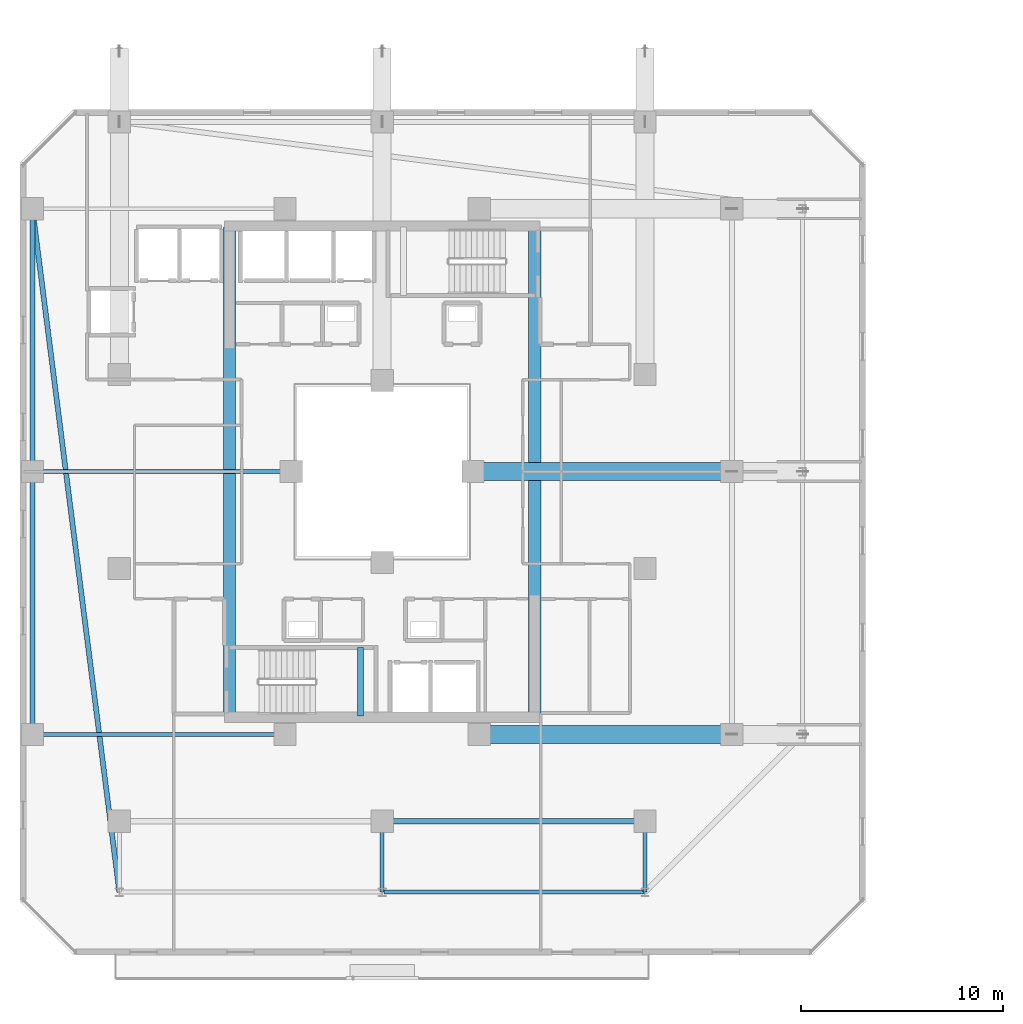
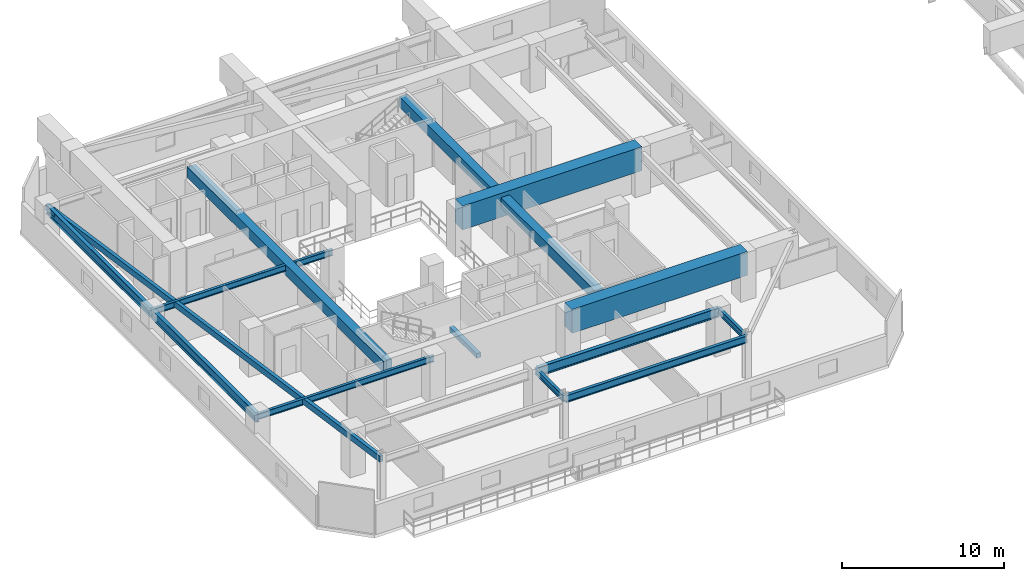
# One storey, part 4 of 36: 14 beams.
"""IFC4 building model written with IfcOpenShell, lengths in metres."""

from ifc_helpers import new_model, si_unit, direction, frame, origin, origin_2d, place, context, subcontext, project, spatial, rectangle, hollow_rectangle, i_section, extrude, material, material_profile, profile_set, type_object, element, save


model = new_model("IFC4")

# Units and contexts
model_context = context("Model", 3, precision=1e-05, world=origin(), true_north=direction((0.0, 1.0)))
body_context = subcontext(model_context, "Body", "Model", "MODEL_VIEW")
ifc_project = project(units=[si_unit("LENGTHUNIT", "METRE"), si_unit("AREAUNIT", "SQUARE_METRE"), si_unit("VOLUMEUNIT", "CUBIC_METRE"), si_unit("PLANEANGLEUNIT", "RADIAN"), si_unit("MASSUNIT", "GRAM", prefix="KILO")], contexts=[model_context])

# Site, building, storey
site_placement = place(None, origin())
site = spatial("IfcSite", under=ifc_project, at=site_placement, CompositionType="ELEMENT")
building_placement = place(site_placement, origin())
building = spatial("IfcBuilding", under=site, at=building_placement, Name="Thornwick Lancets Civic Towers", CompositionType="ELEMENT")
storey_placement = place(building_placement, frame((0.0, 0.0, 170.699951171875)))
storey = spatial("IfcBuildingStorey", under=building, at=storey_placement, Name="L45", CompositionType="ELEMENT", Elevation=170.699951171875)

# Beams
ifc_material_1 = material(Name="Concrete C60/75", Category="concrete")
ifc_material_profile_1 = material_profile(ifc_material_1, rectangle(XDim=0.60009765625, YDim=0.800048828125, at=origin_2d()), Name="RC 600x800")
ifc_profile_set_1 = profile_set([ifc_material_profile_1], Name="Concrete C60/75")
beam_type_1 = type_object("IfcBeamType", Name="BM_COUP_RC800", PredefinedType="BEAM", material=ifc_profile_set_1)
for number, where, z_axis, x_axis, name in (
    (1, (33.050048828125, 14.89990234375, 2.880126953125), (0.0, 1.0, 0.0), (-1.0, 0.0, 0.0), "CB-L45-A1"),
    (2, (17.949951171875, 14.89990234375, 2.880126953125), (0.0, 1.0, 0.0), (-1.0, 0.0, 0.0), "CB-L45-A2"),
):
    element("IfcBeam", number, at=place(storey_placement, frame(where, z_axis=z_axis, x_axis=x_axis)), inside=storey, type_object=beam_type_1, Name=name, PredefinedType="BEAM", context=body_context, shape_type="SweptSolid", body=[
        extrude(rectangle(XDim=0.60009765625, YDim=0.800048828125, at=origin_2d()), origin(), (0.0, 0.0, 1.0), 24.2001953125),
    ])
ifc_material_2 = material(Name="Steel S355JR", Category="steel")
ifc_material_profile_2 = material_profile(ifc_material_2, i_section(OverallWidth=0.210693359375, OverallDepth=0.53955078125, WebThickness=0.01171875, FlangeThickness=0.018798828125, FilletRadius=0.0126953125, at=origin_2d()), Name="UKB 533x210x109")
ifc_profile_set_2 = profile_set([ifc_material_profile_2], Name="Steel S355JR")
beam_type_2 = type_object("IfcBeamType", Name="BM_EDGE_533_109", PredefinedType="SPANDREL", material=ifc_profile_set_2)
beam_1_placement = place(storey_placement, frame((25.580078125, 6.199951171875, 3.01025390625), z_axis=(1.0, 0.0, 0.0), x_axis=(0.0, 1.0, 0.0)))
element("IfcBeam", 3, at=beam_1_placement, inside=storey, type_object=beam_type_2, Name="BM-EDGE-L45-A-S0-2", PredefinedType="SPANDREL", context=body_context, shape_type="SweptSolid", body=[
    extrude(i_section(OverallWidth=0.210693359375, OverallDepth=0.53955078125, WebThickness=0.01171875, FlangeThickness=0.018798828125, FilletRadius=0.0126953125, at=origin_2d()), origin(), (0.0, 0.0, 1.0), 12.919921875),
])
ifc_material_profile_3 = material_profile(ifc_material_2, i_section(OverallWidth=0.255859375, OverallDepth=0.69287109375, WebThickness=0.014404296875, FlangeThickness=0.023681640625, FilletRadius=0.01513671875, at=origin_2d()), Name="UKB 686x254x170")
ifc_profile_set_3 = profile_set([ifc_material_profile_3], Name="Steel S355JR")
beam_type_3 = type_object("IfcBeamType", Name="BM_GIRD_686_170", PredefinedType="BEAM", material=ifc_profile_set_3)
beam_2_placement = place(storey_placement, frame((25.580078125, 9.699951171875, 2.93359375), z_axis=(1.0, 0.0, 0.0), x_axis=(0.0, 1.0, 0.0)))
element("IfcBeam", 4, at=beam_2_placement, inside=storey, type_object=beam_type_3, Name="BM-SPINE-L45-A-1-2", PredefinedType="BEAM", context=body_context, shape_type="SweptSolid", body=[
    extrude(i_section(OverallWidth=0.255859375, OverallDepth=0.69287109375, WebThickness=0.014404296875, FlangeThickness=0.023681640625, FilletRadius=0.01513671875, at=origin_2d()), origin(), (0.0, 0.0, 1.0), 12.919921875),
])
beam_3_placement = place(storey_placement, frame((8.199951171875, 14.0, 2.93359375), z_axis=(0.0, 1.0, 0.0), x_axis=(-1.0, 0.0, 0.0)))
element("IfcBeam", 5, at=beam_3_placement, inside=storey, type_object=beam_type_3, Name="BM-SPINE-L45-A-9-10", PredefinedType="BEAM", context=body_context, shape_type="SweptSolid", body=[
    extrude(i_section(OverallWidth=0.255859375, OverallDepth=0.69287109375, WebThickness=0.014404296875, FlangeThickness=0.023681640625, FilletRadius=0.01513671875, at=origin_2d()), origin(), (0.0, 0.0, 1.0), 13.0),
])
beam_4_placement = place(storey_placement, frame((8.199951171875, 27.080078125, 2.93359375), z_axis=(0.0, 1.0, 0.0), x_axis=(-1.0, 0.0, 0.0)))
element("IfcBeam", 6, at=beam_4_placement, inside=storey, type_object=beam_type_3, Name="BM-SPINE-L45-A-10-11", PredefinedType="BEAM", context=body_context, shape_type="SweptSolid", body=[
    extrude(i_section(OverallWidth=0.255859375, OverallDepth=0.69287109375, WebThickness=0.014404296875, FlangeThickness=0.023681640625, FilletRadius=0.01513671875, at=origin_2d()), origin(), (0.0, 0.0, 1.0), 12.919921875),
])
ifc_material_profile_4 = material_profile(ifc_material_2, i_section(OverallWidth=0.19189453125, OverallDepth=0.46337890625, WebThickness=0.010498046875, FlangeThickness=0.017578125, FilletRadius=0.01025390625, at=origin_2d()), Name="UKB 457x191x89")
ifc_profile_set_4 = profile_set([ifc_material_profile_4], Name="Steel S355JR")
beam_type_4 = type_object("IfcBeamType", Name="BM_JOIST_457_89", PredefinedType="JOIST", material=ifc_profile_set_4)
for number, where, z_axis, x_axis, name in (
    (7, (25.5, 9.699951171875, 3.04833984375), (0.0, -1.0, 0.0), (1.0, 0.0, 0.0), "BM-RAD-L45-A02"),
    (8, (38.5, 9.699951171875, 3.04833984375), (0.0, -1.0, 0.0), (1.0, 0.0, 0.0), "BM-RAD-L45-A03"),
):
    element("IfcBeam", number, at=place(storey_placement, frame(where, z_axis=z_axis, x_axis=x_axis)), inside=storey, type_object=beam_type_4, Name=name, PredefinedType="JOIST", context=body_context, shape_type="SweptSolid", body=[
        extrude(i_section(OverallWidth=0.19189453125, OverallDepth=0.46337890625, WebThickness=0.010498046875, FlangeThickness=0.017578125, FilletRadius=0.01025390625, at=origin_2d()), origin(), (0.0, 0.0, 1.0), 3.5),
    ])
beam_5_placement = place(storey_placement, frame((20.699951171875, 14.0, 3.04833984375), z_axis=(-1.0, 0.0, 0.0), x_axis=(0.0, -1.0, 0.0)))
element("IfcBeam", 9, at=beam_5_placement, inside=storey, type_object=beam_type_4, Name="BM-RADIN-L45-A10", PredefinedType="JOIST", context=body_context, shape_type="SweptSolid", body=[
    extrude(i_section(OverallWidth=0.19189453125, OverallDepth=0.46337890625, WebThickness=0.010498046875, FlangeThickness=0.017578125, FilletRadius=0.01025390625, at=origin_2d()), origin(), (0.0, 0.0, 1.0), 12.5),
])
beam_6_placement = place(storey_placement, frame((21.0, 27.0, 3.04833984375), z_axis=(-1.0, 0.0, 0.0), x_axis=(0.0, -1.0, 0.0)))
element("IfcBeam", 10, at=beam_6_placement, inside=storey, type_object=beam_type_4, Name="BM-RADIN-L45-A11", PredefinedType="JOIST", context=body_context, shape_type="SweptSolid", body=[
    extrude(i_section(OverallWidth=0.19189453125, OverallDepth=0.46337890625, WebThickness=0.010498046875, FlangeThickness=0.017578125, FilletRadius=0.01025390625, at=origin_2d()), origin(), (0.0, 0.0, 1.0), 12.800048828125),
])
ifc_material_profile_5 = material_profile(ifc_material_2, hollow_rectangle(XDim=0.25, YDim=0.449951171875, WallThickness=0.01611328125, at=origin_2d()), Name="RHS 450x250x16")
ifc_profile_set_5 = profile_set([ifc_material_profile_5], Name="Steel S355JR")
beam_type_5 = type_object("IfcBeamType", Name="BM_RING_RHS450", PredefinedType="BEAM", material=ifc_profile_set_5)
beam_7_placement = place(storey_placement, frame((8.199951171875, 40.0, 3.054931640625), z_axis=(0.126202998662, -0.992004437051, 0.0), x_axis=(0.992004437051, 0.126202998662, 0.0)))
element("IfcBeam", 11, at=beam_7_placement, inside=storey, type_object=beam_type_5, Name="BM-CHAMF-L45-A-C3", PredefinedType="BEAM", context=body_context, shape_type="SweptSolid", body=[
    extrude(hollow_rectangle(XDim=0.25, YDim=0.449951171875, WallThickness=0.01611328125, at=origin_2d()), origin(), (0.0, 0.0, 1.0), 34.072509765625),
])
ifc_material_3 = material(Name="Concrete C40/50", Category="concrete")
ifc_material_profile_6 = material_profile(ifc_material_3, rectangle(XDim=0.300048828125, YDim=0.35009765625, at=origin_2d()), Name="RC 300x350")
ifc_profile_set_6 = profile_set([ifc_material_profile_6], Name="Concrete C40/50")
beam_type_6 = type_object("IfcBeamType", Name="BM_STAIR_LDG", PredefinedType="BEAM", material=ifc_profile_set_6)
beam_8_placement = place(storey_placement, frame((24.43505859375, 14.89990234375, 1.3779296875), z_axis=(0.0, 1.0, 0.0), x_axis=(-1.0, 0.0, 0.0)))
element("IfcBeam", 12, at=beam_8_placement, inside=storey, type_object=beam_type_6, Name="L45 ST-A1 Landing Support Beam 1", PredefinedType="BEAM", context=body_context, shape_type="SweptSolid", body=[
    extrude(rectangle(XDim=0.300048828125, YDim=0.35009765625, at=origin_2d()), origin(), (0.0, 0.0, 1.0), 3.400146484375),
])
ifc_material_profile_7 = material_profile(ifc_material_1, rectangle(XDim=0.89990234375, YDim=1.800048828125, at=origin_2d()), Name="RC 900x1800")
ifc_profile_set_7 = profile_set([ifc_material_profile_7], Name="Concrete C60/75")
beam_type_7 = type_object("IfcBeamType", Name="BM_TR_RC1800", PredefinedType="BEAM", material=ifc_profile_set_7)
beam_9_placement = place(storey_placement, frame((30.300048828125, 14.0, 2.699951171875), z_axis=(1.0, 0.0, 0.0), x_axis=(0.0, 1.0, 0.0)))
element("IfcBeam", 13, at=beam_9_placement, inside=storey, type_object=beam_type_7, Name="TG-BACK-L46-A04", PredefinedType="BEAM", context=body_context, shape_type="SweptSolid", body=[
    extrude(rectangle(XDim=0.89990234375, YDim=1.800048828125, at=origin_2d()), origin(), (0.0, 0.0, 1.0), 12.5),
])
beam_10_placement = place(storey_placement, frame((30.0, 27.0, 2.699951171875), z_axis=(1.0, 0.0, 0.0), x_axis=(0.0, 1.0, 0.0)))
element("IfcBeam", 14, at=beam_10_placement, inside=storey, type_object=beam_type_7, Name="TG-BACK-L46-A05", PredefinedType="BEAM", context=body_context, shape_type="SweptSolid", body=[
    extrude(rectangle(XDim=0.89990234375, YDim=1.800048828125, at=origin_2d()), origin(), (0.0, 0.0, 1.0), 12.800048828125),
])

save(model, "model.ifc")
